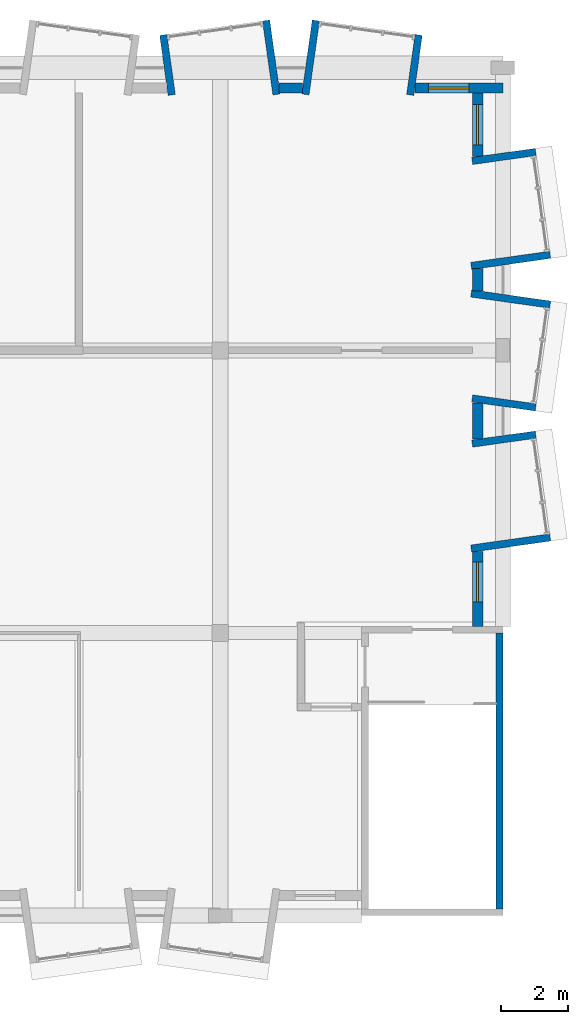
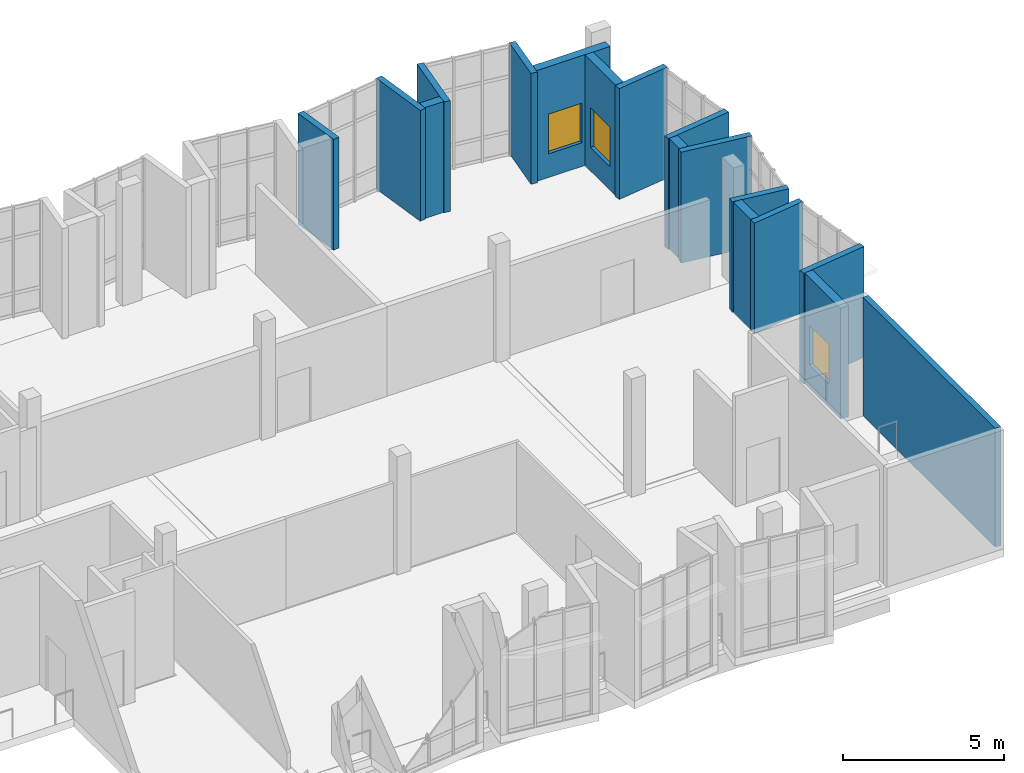
# One storey, part 12 of 15: 17 walls, 3 windows, 3 openings.
"""IFC4 building model written with IfcOpenShell, lengths in metres."""

import ifcopenshell
import ifcopenshell.guid

model = None  # the IFC model being written
_history = None  # IfcOwnerHistory: only IFC2X3 demands one
_inside = {}  # id of a spatial element -> (the spatial element, [elements in it])
_under = {}  # id of a project, library or spatial element -> (it, [spatial elements below it])
_declared = {}  # id of a project -> (the project, [libraries it declares])
_typed = {}  # id of a type object -> (the type object, [elements of that type])
_made_of = {}  # id of a material, layer set ... -> (it, [elements and type objects made of it])


def new_model(schema):
    """Start an empty IFC model of exactly this schema.

    Asked for "IFC4X3", IfcOpenShell would pick the latest addendum, in which some entities
    have other attributes; the version numbers below select the first issue.
    IFC2X3 requires an IfcOwnerHistory on every rooted entity: one is made here for all.
    """
    global model, _history
    if schema == "IFC4X3":
        model = ifcopenshell.file(schema_version=(4, 3, 0, 0))
    else:
        model = ifcopenshell.file(schema=schema)
    _inside.clear()
    _under.clear()
    _declared.clear()
    _typed.clear()
    _made_of.clear()
    _history = None
    if model.schema == "IFC2X3":
        org = make("IfcOrganization", Name="unknown")
        user = make(
            "IfcPersonAndOrganization",
            ThePerson=make("IfcPerson", FamilyName="unknown"),
            TheOrganization=org,
        )
        app = make(
            "IfcApplication",
            ApplicationDeveloper=org,
            Version="unknown",
            ApplicationFullName="unknown",
            ApplicationIdentifier="unknown",
        )
        _history = make(
            "IfcOwnerHistory",
            OwningUser=user,
            OwningApplication=app,
            ChangeAction="ADDED",
            CreationDate=0,
        )
    return model


def make(cls, **values):
    """One entity of the class cls with the attributes given. An attribute that is None is left unset."""
    return model.create_entity(
        cls, **{name: value for name, value in values.items() if value is not None}
    )


def rooted(cls, **values):
    """An entity with a GlobalId (a new one), such as an element, a storey or a relation."""
    return make(cls, GlobalId=ifcopenshell.guid.new(), OwnerHistory=_history, **values)


def si_unit(unit_type, name, prefix=None):
    """IfcSIUnit, for example si_unit("LENGTHUNIT", "METRE", prefix="MILLI")."""
    return make("IfcSIUnit", UnitType=unit_type, Prefix=prefix, Name=name)


def assignment(units):
    """IfcUnitAssignment: the units of a project."""
    return None if units is None else make("IfcUnitAssignment", Units=units)


def point(xyz):
    """IfcCartesianPoint."""
    return None if xyz is None else make("IfcCartesianPoint", Coordinates=xyz)


def direction(xyz):
    """IfcDirection."""
    return None if xyz is None else make("IfcDirection", DirectionRatios=xyz)


def frame(location, z_axis=None, x_axis=None):
    """IfcAxis2Placement3D, a coordinate frame: its origin and axes. An axis left out is left unset."""
    return make(
        "IfcAxis2Placement3D",
        Location=point(location),
        Axis=direction(z_axis),
        RefDirection=direction(x_axis),
    )


def frame_2d(location, x_axis=None):
    """IfcAxis2Placement2D, a coordinate frame in the plane: its origin and x axis."""
    return make(
        "IfcAxis2Placement2D", Location=point(location), RefDirection=direction(x_axis)
    )


def origin():
    """The frame at (0, 0, 0) with its axes left unset."""
    return frame((0.0, 0.0, 0.0))


def place(relative_to, where):
    """IfcLocalPlacement: puts the frame where relative to a parent placement (None: the world)."""
    return make(
        "IfcLocalPlacement", PlacementRelTo=relative_to, RelativePlacement=where
    )


def context(
    kind, dimensions, precision=None, world=None, true_north=None, identifier=None
):
    """IfcGeometricRepresentationContext, for example the 3D "Model" context."""
    return make(
        "IfcGeometricRepresentationContext",
        ContextIdentifier=identifier,
        ContextType=kind,
        CoordinateSpaceDimension=dimensions,
        Precision=precision,
        WorldCoordinateSystem=world,
        TrueNorth=true_north,
    )


def subcontext(parent, identifier, kind, view, scale=None):
    """IfcGeometricRepresentationSubContext, for example "Body" below "Model"."""
    return make(
        "IfcGeometricRepresentationSubContext",
        ContextIdentifier=identifier,
        ContextType=kind,
        ParentContext=parent,
        TargetScale=scale,
        TargetView=view,
    )


def project(units=None, contexts=None):
    """IfcProject with its units and contexts."""
    return rooted(
        "IfcProject",
        Name="project",
        RepresentationContexts=contexts,
        UnitsInContext=assignment(units),
    )


def spatial(cls, under=None, at=None, **own):
    """A site, building, storey or space (cls), placed at a placement, below another one or the project."""
    s = rooted(cls, ObjectPlacement=at, **own)
    if under is not None:
        _under.setdefault(under.id(), (under, []))[1].append(s)
    return s


def profile(cls, at=None, kind="AREA", **sizes):
    """A parametric profile (cls). Its sizes go by their IFC names, for example OverallWidth=200.0."""
    return make(cls, ProfileType=kind, Position=at, **sizes)


def rectangle(**sizes):
    """IfcRectangleProfileDef."""
    return profile("IfcRectangleProfileDef", **sizes)


def extrude(swept, where, along, depth):
    """IfcExtrudedAreaSolid: the profile swept, set in the frame where, extruded along a direction by depth."""
    return make(
        "IfcExtrudedAreaSolid",
        SweptArea=swept,
        Position=where,
        ExtrudedDirection=direction(along),
        Depth=depth,
    )


def shape(context_of_items, identifier, shape_type, items):
    """IfcShapeRepresentation: the items that make up one representation, for example the "Body"."""
    return make(
        "IfcShapeRepresentation",
        ContextOfItems=context_of_items,
        RepresentationIdentifier=identifier,
        RepresentationType=shape_type,
        Items=items,
    )


def material(Name=None, Category=None):
    """IfcMaterial."""
    return make("IfcMaterial", Name=Name, Category=Category)


def layer(
    of_material, thickness, ventilated=None, Name=None, Category=None, Priority=None
):
    """IfcMaterialLayer: one layer of a wall or slab, of a material (None: an air gap)."""
    return make(
        "IfcMaterialLayer",
        Material=of_material,
        LayerThickness=thickness,
        IsVentilated=ventilated,
        Name=Name,
        Category=Category,
        Priority=Priority,
    )


def layer_set(layers, Name=None):
    """IfcMaterialLayerSet."""
    return make("IfcMaterialLayerSet", MaterialLayers=layers, LayerSetName=Name)


def made_of(thing, what):
    """Note that an element or type object is made of a material, layer set ...; save() writes the relation."""
    if what is not None:
        _made_of.setdefault(what.id(), (what, []))[1].append(thing)
    return thing


def type_object(cls, material=None, **own):
    """A type object (cls), such as IfcWallType, which elements share."""
    return made_of(rooted(cls, **own), material)


def element(
    cls,
    number,
    at=None,
    inside=None,
    cuts=None,
    type_object=None,
    material=None,
    context=None,
    identifier="Body",
    shape_type=None,
    held_by="IfcProductDefinitionShape",
    body=None,
    shapes=None,
    **own,
):
    """One element of the class cls, such as IfcWall. Its Tag is "e" and its number.

    at: its placement. inside: the storey or other place that contains it. cuts: it is an
    opening in that element (IfcRelVoidsElement). A single representation is given by context,
    identifier, shape_type and body (its items); several are given by shapes. held_by: the class
    of the entity that holds the representations. save() writes the other relations.
    """
    e = rooted(cls, Tag="e%d" % number, ObjectPlacement=at, **own)
    if body is not None:
        shapes = [shape(context, identifier, shape_type, body)]
    if shapes is not None:
        e.Representation = make(held_by, Representations=shapes)
    if inside is not None:
        _inside.setdefault(inside.id(), (inside, []))[1].append(e)
    if cuts is not None:
        rooted(
            "IfcRelVoidsElement", RelatingBuildingElement=cuts, RelatedOpeningElement=e
        )
    if type_object is not None:
        _typed.setdefault(type_object.id(), (type_object, []))[1].append(e)
    return made_of(e, material)


def fill(opening, filler):
    """IfcRelFillsElement: the door or window that sits in an opening."""
    return rooted(
        "IfcRelFillsElement",
        RelatingOpeningElement=opening,
        RelatedBuildingElement=filler,
    )


def aggregate(whole, parts):
    """IfcRelAggregates: a whole, such as a stair, and the parts it consists of."""
    return rooted("IfcRelAggregates", RelatingObject=whole, RelatedObjects=parts)


def save(model, path):
    """Write the relations noted so far, then the file.

    IfcRelAggregates (storeys below a building ...), IfcRelContainedInSpatialStructure (elements
    in a storey), IfcRelDefinesByType, IfcRelAssociatesMaterial and IfcRelDeclares: one each for
    every whole, place, type object, material and project.
    """
    for whole, parts in _under.values():
        aggregate(whole, parts)
    for where, things in _inside.values():
        rooted(
            "IfcRelContainedInSpatialStructure",
            RelatedElements=things,
            RelatingStructure=where,
        )
    for kind, things in _typed.values():
        rooted("IfcRelDefinesByType", RelatedObjects=things, RelatingType=kind)
    for what, things in _made_of.values():
        rooted("IfcRelAssociatesMaterial", RelatedObjects=things, RelatingMaterial=what)
    for by, libraries in _declared.values():
        rooted("IfcRelDeclares", RelatingContext=by, RelatedDefinitions=libraries)
    model.write(path)


model = new_model("IFC4")

# Units and contexts
model_context = context("Model", 3, precision=1e-05, world=origin(), true_north=direction((0.0, 1.0)))
body_context = subcontext(model_context, "Body", "Model", "MODEL_VIEW")
ifc_project = project(units=[si_unit("LENGTHUNIT", "METRE"), si_unit("AREAUNIT", "SQUARE_METRE"), si_unit("VOLUMEUNIT", "CUBIC_METRE"), si_unit("PLANEANGLEUNIT", "RADIAN"), si_unit("MASSUNIT", "GRAM", prefix="KILO")], contexts=[model_context])

# Site, building, storey
site_placement = place(None, origin())
site = spatial("IfcSite", under=ifc_project, at=site_placement, CompositionType="ELEMENT")
building_placement = place(site_placement, origin())
building = spatial("IfcBuilding", under=site, at=building_placement, Name="Kiln Court Media Centre", CompositionType="ELEMENT")
storey_placement = place(building_placement, frame((0.0, 0.0, 38.10009765625)))
storey = spatial("IfcBuildingStorey", under=building, at=storey_placement, Name="L08", CompositionType="ELEMENT", Elevation=38.10009765625)

# Walls
ifc_material_1 = material(Name="Brick masonry facing leaf with RC backing", Category="masonry")
ifc_layer_1 = layer(ifc_material_1, 0.215087890625)
ifc_layer_set_1 = layer_set([ifc_layer_1], Name="Brick masonry bay cheek wall 215")
wall_type_1 = type_object("IfcWallType", Name="Brick masonry bay cheek wall 215", PredefinedType="SOLIDWALL", material=ifc_layer_set_1)
wall_1_placement = place(storey_placement, frame((32.655029296875, 10.909423828125, 0.0), z_axis=(0.0, 0.0, 1.0), x_axis=(0.990262124675, 0.139215388641, 0.0)))
element("IfcWall", 1, at=wall_1_placement, inside=storey, type_object=wall_type_1, Name="BAY V6A-E-L08-20 cheek L", PredefinedType="SOLIDWALL", context=body_context, shape_type="SweptSolid", body=[
    extrude(rectangle(XDim=2.37109375, YDim=0.215087890625, at=frame_2d((1.185546875, 0.0))), origin(), (0.0, 0.0, 1.0), 4.199951171875),
])
for number, where, z_axis, x_axis, name in (
    (2, (32.68505859375, 14.029052734375, 0.0), (0.0, 0.0, 1.0), (0.990269539441, 0.139162635989, 0.0), "BAY V6A-E-L08-20 cheek R"),
    (3, (32.68505859375, 15.370849609375, 0.0), (0.0, 0.0, 1.0), (0.990269539441, -0.139162635989, 0.0), "BAY V6A-E-L08-21 cheek L"),
):
    element("IfcWall", number, at=place(storey_placement, frame(where, z_axis=z_axis, x_axis=x_axis)), inside=storey, type_object=wall_type_1, Name=name, PredefinedType="SOLIDWALL", context=body_context, shape_type="SweptSolid", body=[
        extrude(rectangle(XDim=1.906982421875, YDim=0.215087890625, at=frame_2d((0.95361328125, 0.0))), origin(), (0.0, 0.0, 1.0), 4.199951171875),
    ])
wall_2_placement = place(storey_placement, frame((32.655029296875, 18.490478515625, 0.0), z_axis=(0.0, 0.0, 1.0), x_axis=(0.990262124675, -0.139215388641, 0.0)))
element("IfcWall", 4, at=wall_2_placement, inside=storey, type_object=wall_type_1, Name="BAY V6A-E-L08-21 cheek R", PredefinedType="SOLIDWALL", context=body_context, shape_type="SweptSolid", body=[
    extrude(rectangle(XDim=2.37109375, YDim=0.215087890625, at=frame_2d((1.185546875, 0.0))), origin(), (0.0, 0.0, 1.0), 4.199951171875),
])
wall_3_placement = place(storey_placement, frame((32.655029296875, 19.3095703125, 0.0), z_axis=(0.0, 0.0, 1.0), x_axis=(0.990276315141, 0.139114412161, 0.0)))
element("IfcWall", 5, at=wall_3_placement, inside=storey, type_object=wall_type_1, Name="BAY V6A-E-L08-22 cheek L", PredefinedType="SOLIDWALL", context=body_context, shape_type="SweptSolid", body=[
    extrude(rectangle(XDim=2.370849609375, YDim=0.215087890625, at=frame_2d((1.185546875, 0.0))), origin(), (0.0, 0.0, 1.0), 4.199951171875),
])
wall_4_placement = place(storey_placement, frame((32.68505859375, 22.42919921875, 0.0), z_axis=(0.0, 0.0, 1.0), x_axis=(0.990269539441, 0.139162635989, 0.0)))
element("IfcWall", 6, at=wall_4_placement, inside=storey, type_object=wall_type_1, Name="BAY V6A-E-L08-22 cheek R", PredefinedType="SOLIDWALL", context=body_context, shape_type="SweptSolid", body=[
    extrude(rectangle(XDim=1.906982421875, YDim=0.215087890625, at=frame_2d((0.95361328125, 0.0))), origin(), (0.0, 0.0, 1.0), 4.199951171875),
])
wall_5_placement = place(storey_placement, frame((23.756103515625, 24.39111328125, 0.0), z_axis=(0.0, 0.0, 1.0), x_axis=(-0.139161311926, 0.990269725511, 0.0)))
element("IfcWall", 7, at=wall_5_placement, inside=storey, type_object=wall_type_1, Name="BAY V6A-N-L08-57 cheek L", PredefinedType="SOLIDWALL", context=body_context, shape_type="SweptSolid", body=[
    extrude(rectangle(XDim=1.800048828125, YDim=0.215087890625, at=frame_2d((0.89990234375, 0.0))), origin(), (0.0, 0.0, 1.0), 4.199951171875),
])
for number, where, z_axis, x_axis, name in (
    (8, (26.869384765625, 24.405029296875, 0.0), (0.0, 0.0, 1.0), (-0.139141913905, 0.990272451295, 0.0), "BAY V6A-N-L08-57 cheek R"),
    (9, (27.730712890625, 24.405029296875, 0.0), (0.0, 0.0, 1.0), (0.139141913905, 0.990272451295, 0.0), "BAY V6A-N-L08-58 cheek L"),
):
    element("IfcWall", number, at=place(storey_placement, frame(where, z_axis=z_axis, x_axis=x_axis)), inside=storey, type_object=wall_type_1, Name=name, PredefinedType="SOLIDWALL", context=body_context, shape_type="SweptSolid", body=[
        extrude(rectangle(XDim=2.219482421875, YDim=0.215087890625, at=frame_2d((1.10986328125, 0.0))), origin(), (0.0, 0.0, 1.0), 4.199951171875),
    ])
wall_6_placement = place(storey_placement, frame((30.843994140625, 24.39111328125, 0.0), z_axis=(0.0, 0.0, 1.0), x_axis=(0.139161311926, 0.990269725511, 0.0)))
element("IfcWall", 10, at=wall_6_placement, inside=storey, type_object=wall_type_1, Name="BAY V6A-N-L08-58 cheek R", PredefinedType="SOLIDWALL", context=body_context, shape_type="SweptSolid", body=[
    extrude(rectangle(XDim=1.800048828125, YDim=0.215087890625, at=frame_2d((0.89990234375, 0.0))), origin(), (0.0, 0.0, 1.0), 4.199951171875),
])

# Wall, opening, window
ifc_material_2 = material(Name="Brick masonry facing leaf with RC backing", Category="masonry")
ifc_layer_2 = layer(ifc_material_2, 0.300048828125)
ifc_layer_set_2 = layer_set([ifc_layer_2], Name="Brick masonry cavity wall 300")
wall_type_2 = type_object("IfcWallType", Name="Brick masonry cavity wall 300", PredefinedType="SOLIDWALL", material=ifc_layer_set_2)
wall_7_placement = place(storey_placement, frame((32.85009765625, 10.828369140625, 0.0), z_axis=(0.0, 0.0, 1.0), x_axis=(0.0, -1.0, 0.0)))
wall_7 = element("IfcWall", 11, at=wall_7_placement, inside=storey, type_object=wall_type_2, Name="V6A-E facade L08 3006", PredefinedType="SOLIDWALL", context=body_context, shape_type="SweptSolid", body=[
    extrude(rectangle(XDim=2.228271484375, YDim=0.300048828125, at=frame_2d((1.1142578125, 0.0))), origin(), (0.0, 0.0, 1.0), 4.199951171875),
])
opening_1_placement = place(wall_7_placement, frame((0.314208984375, 0.0, 0.89990234375)))
opening_1 = element("IfcOpeningElement", 12, at=opening_1_placement, cuts=wall_7, Name="Opening WN8001", PredefinedType="OPENING", context=body_context, shape_type="SweptSolid", body=[
    extrude(rectangle(XDim=1.199951171875, YDim=1.5, at=frame_2d((0.60009765625, 0.75))), frame((0.0, 0.159912109375, 0.0), z_axis=(0.0, -1.0, 0.0), x_axis=(1.0, 0.0, 0.0)), (0.0, 0.0, 1.0), 0.320068359375),
])
ifc_material_3 = material(Name="Aluminium 6063-T6", Category="aluminium")
window_type = type_object("IfcWindowType", Name="Aluminium window 1200x1500", PartitioningType="DOUBLE_PANEL_VERTICAL", PredefinedType="WINDOW", material=ifc_material_3)
window_1_placement = place(opening_1_placement, origin())
window_1 = element("IfcWindow", 13, at=window_1_placement, inside=storey, type_object=window_type, Name="WB window WN8001", OverallHeight=1.5, OverallWidth=1.199951171875, PartitioningType="SINGLE_PANEL", PredefinedType="WINDOW", context=body_context, shape_type="SweptSolid", body=[
    extrude(rectangle(XDim=1.199951171875, YDim=1.5, at=frame_2d((0.60009765625, 0.75))), frame((0.0, 0.030029296875, 0.0), z_axis=(0.0, -1.0, 0.0), x_axis=(1.0, 0.0, 0.0)), (0.0, 0.0, 1.0), 0.06005859375),
])
fill(opening_1, window_1)

# Walls
wall_8_placement = place(storey_placement, frame((32.85009765625, 15.2392578125, 0.0), z_axis=(0.0, 0.0, 1.0), x_axis=(0.0, -1.0, 0.0)))
element("IfcWall", 14, at=wall_8_placement, inside=storey, type_object=wall_type_2, Name="V6A-E facade L08 3007", PredefinedType="SOLIDWALL", context=body_context, shape_type="SweptSolid", body=[
    extrude(rectangle(XDim=1.078369140625, YDim=0.300048828125, at=frame_2d((0.5390625, 0.0))), origin(), (0.0, 0.0, 1.0), 4.199951171875),
])
wall_9_placement = place(storey_placement, frame((32.85009765625, 19.228515625, 0.0), z_axis=(0.0, 0.0, 1.0), x_axis=(0.0, -1.0, 0.0)))
element("IfcWall", 15, at=wall_9_placement, inside=storey, type_object=wall_type_2, Name="V6A-E facade L08 3008", PredefinedType="SOLIDWALL", context=body_context, shape_type="SweptSolid", body=[
    extrude(rectangle(XDim=0.656982421875, YDim=0.300048828125, at=frame_2d((0.32861328125, 0.0))), origin(), (0.0, 0.0, 1.0), 4.199951171875),
])

# Wall, opening, window
wall_10_placement = place(storey_placement, frame((32.85009765625, 24.449951171875, 0.0), z_axis=(0.0, 0.0, 1.0), x_axis=(0.0, -1.0, 0.0)))
wall_10 = element("IfcWall", 16, at=wall_10_placement, inside=storey, type_object=wall_type_2, Name="V6A-E facade L08 3009", PredefinedType="SOLIDWALL", context=body_context, shape_type="SweptSolid", body=[
    extrude(rectangle(XDim=1.88916015625, YDim=0.300048828125, at=frame_2d((0.944580078125, 0.0))), origin(), (0.0, 0.0, 1.0), 4.199951171875),
])
opening_2_placement = place(wall_10_placement, frame((0.344482421875, 0.0, 0.89990234375)))
opening_2 = element("IfcOpeningElement", 17, at=opening_2_placement, cuts=wall_10, Name="Opening WN8002", PredefinedType="OPENING", context=body_context, shape_type="SweptSolid", body=[
    extrude(rectangle(XDim=1.199951171875, YDim=1.5, at=frame_2d((0.60009765625, 0.75))), frame((0.0, 0.159912109375, 0.0), z_axis=(0.0, -1.0, 0.0), x_axis=(1.0, 0.0, 0.0)), (0.0, 0.0, 1.0), 0.320068359375),
])
window_2_placement = place(opening_2_placement, origin())
window_2 = element("IfcWindow", 18, at=window_2_placement, inside=storey, type_object=window_type, Name="WB window WN8002", OverallHeight=1.5, OverallWidth=1.199951171875, PartitioningType="SINGLE_PANEL", PredefinedType="WINDOW", context=body_context, shape_type="SweptSolid", body=[
    extrude(rectangle(XDim=1.199951171875, YDim=1.5, at=frame_2d((0.60009765625, 0.75))), frame((0.0, 0.030029296875, 0.0), z_axis=(0.0, -1.0, 0.0), x_axis=(1.0, 0.0, 0.0)), (0.0, 0.0, 1.0), 0.06005859375),
])
fill(opening_2, window_2)

# Wall
wall_11_placement = place(storey_placement, frame((26.950439453125, 24.60009765625, 0.0), z_axis=(0.0, 0.0, 1.0), x_axis=(1.0, 0.0, 0.0)))
element("IfcWall", 19, at=wall_11_placement, inside=storey, type_object=wall_type_2, Name="V6A-N facade L08 3027", PredefinedType="SOLIDWALL", context=body_context, shape_type="SweptSolid", body=[
    extrude(rectangle(XDim=0.698974609375, YDim=0.300048828125, at=frame_2d((0.349609375, 0.0))), origin(), (0.0, 0.0, 1.0), 4.199951171875),
])

# Wall, opening, window
wall_12_placement = place(storey_placement, frame((30.98193359375, 24.60009765625, 0.0), z_axis=(0.0, 0.0, 1.0), x_axis=(1.0, 0.0, 0.0)))
wall_12 = element("IfcWall", 20, at=wall_12_placement, inside=storey, type_object=wall_type_2, Name="V6A-N facade L08 3028", PredefinedType="SOLIDWALL", context=body_context, shape_type="SweptSolid", body=[
    extrude(rectangle(XDim=2.6181640625, YDim=0.300048828125, at=frame_2d((1.30908203125, 0.0))), origin(), (0.0, 0.0, 1.0), 4.199951171875),
])
opening_3_placement = place(wall_12_placement, frame((0.408935546875, 0.0, 0.89990234375)))
opening_3 = element("IfcOpeningElement", 21, at=opening_3_placement, cuts=wall_12, Name="Opening WN8004", PredefinedType="OPENING", context=body_context, shape_type="SweptSolid", body=[
    extrude(rectangle(XDim=1.199951171875, YDim=1.5, at=frame_2d((0.60009765625, 0.75))), frame((0.0, 0.159912109375, 0.0), z_axis=(0.0, -1.0, 0.0), x_axis=(1.0, 0.0, 0.0)), (0.0, 0.0, 1.0), 0.320068359375),
])
window_3_placement = place(opening_3_placement, origin())
window_3 = element("IfcWindow", 22, at=window_3_placement, inside=storey, type_object=window_type, Name="WB window WN8004", OverallHeight=1.5, OverallWidth=1.199951171875, PartitioningType="SINGLE_PANEL", PredefinedType="WINDOW", context=body_context, shape_type="SweptSolid", body=[
    extrude(rectangle(XDim=1.199951171875, YDim=1.5, at=frame_2d((0.60009765625, 0.75))), frame((0.0, 0.030029296875, 0.0), z_axis=(0.0, -1.0, 0.0), x_axis=(1.0, 0.0, 0.0)), (0.0, 0.0, 1.0), 0.06005859375),
])
fill(opening_3, window_3)

# Wall
ifc_material_4 = material(Name="Concrete C40/50", Category="concrete")
ifc_layer_3 = layer(ifc_material_4, 0.199951171875)
ifc_layer_set_3 = layer_set([ifc_layer_3], Name="Concrete C40/50 shear wall 200")
wall_type_3 = type_object("IfcWallType", Name="Concrete C40/50 shear wall 200", PredefinedType="SHEAR", material=ifc_layer_set_3)
wall_13_placement = place(storey_placement, frame((33.5, 8.39990234375, 0.0), z_axis=(0.0, 0.0, 1.0), x_axis=(0.0, -1.0, 0.0)))
element("IfcWall", 23, at=wall_13_placement, inside=storey, type_object=wall_type_3, Name="L08-W-1011", PredefinedType="SHEAR", context=body_context, shape_type="SweptSolid", body=[
    extrude(rectangle(XDim=8.199951171875, YDim=0.199951171875, at=frame_2d((4.10009765625, 0.0))), origin(), (0.0, 0.0, 1.0), 4.5),
])

save(model, "model.ifc")
